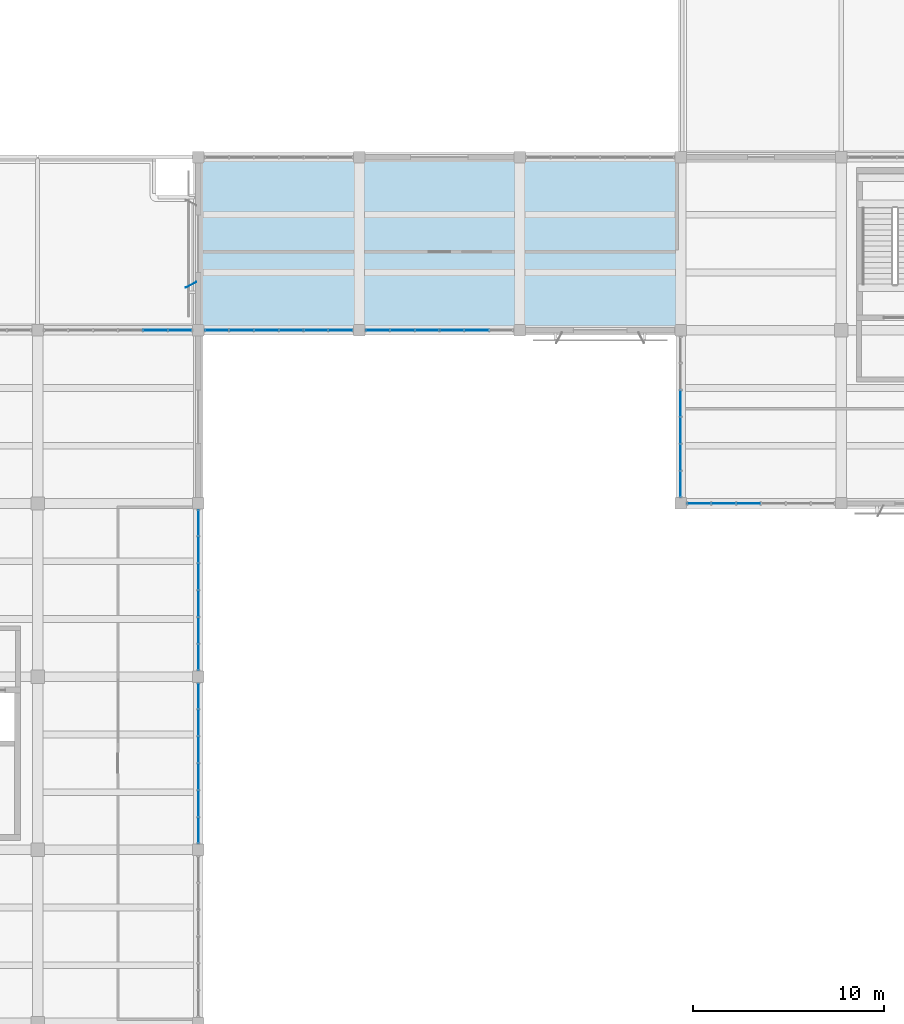
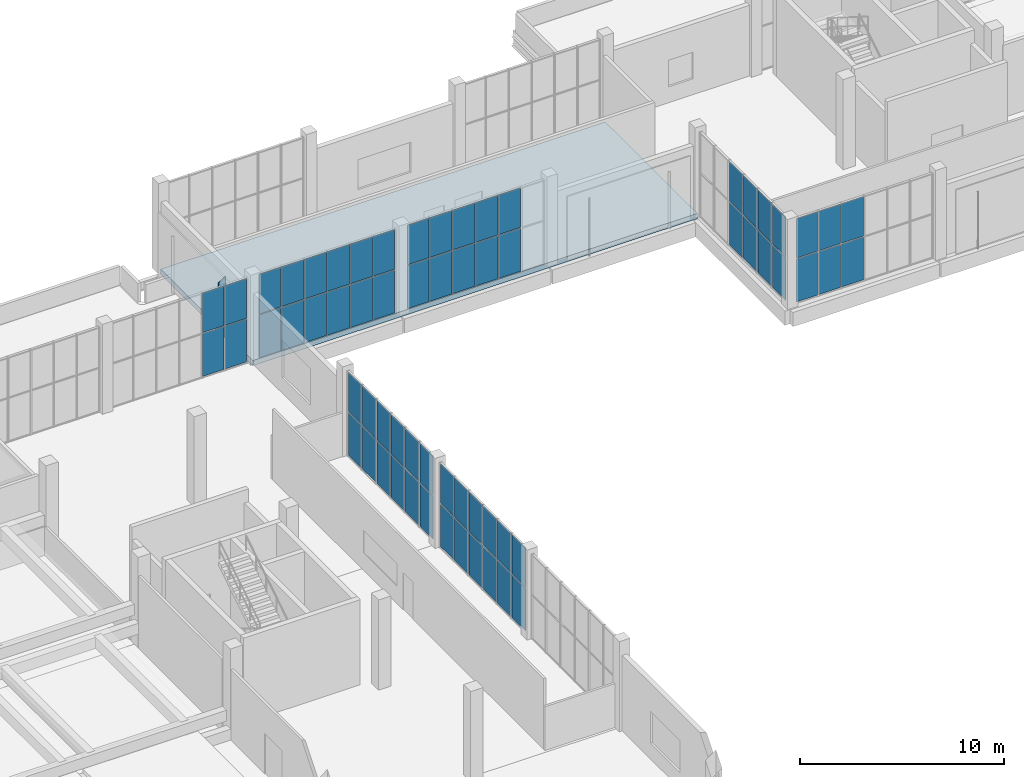
# One storey, part 103 of 132: 65 plates, 1 slab, 7 elements without a shape of their own.
"""IFC4 building model written with IfcOpenShell, lengths in metres."""

from ifc_helpers import new_model, si_unit, direction, frame, origin, origin_2d, place, context, subcontext, project, spatial, polyline, rectangle, outline, extrude, material, layer, layer_set, type_object, element, aggregate, save


model = new_model("IFC4")

# Units and contexts
model_context = context("Model", 3, precision=1e-05, world=origin(), true_north=direction((0.0, 1.0)))
body_context = subcontext(model_context, "Body", "Model", "MODEL_VIEW")
ifc_project = project(units=[si_unit("LENGTHUNIT", "METRE"), si_unit("AREAUNIT", "SQUARE_METRE"), si_unit("VOLUMEUNIT", "CUBIC_METRE"), si_unit("PLANEANGLEUNIT", "RADIAN"), si_unit("MASSUNIT", "GRAM", prefix="KILO")], contexts=[model_context])

# Site, building, storey
site_placement = place(None, origin())
site = spatial("IfcSite", under=ifc_project, at=site_placement, CompositionType="ELEMENT")
building_placement = place(site_placement, origin())
building = spatial("IfcBuilding", under=site, at=building_placement, Name="Khurvash Pelagic Aquarium", CompositionType="ELEMENT")
storey_placement = place(building_placement, frame((0.0, 0.0, 5.39990234375)))
storey = spatial("IfcBuildingStorey", under=building, at=storey_placement, Name="L01", CompositionType="ELEMENT", Elevation=5.39990234375)

# Curtain wall, plates
ifc_material_1 = material(Name="Anodised aluminium and low-E laminated glass", Category="aluminium")
curtain_wall_type_1 = type_object("IfcCurtainWallType", Name="CW-05", PredefinedType="USERDEFINED", material=ifc_material_1)
curtain_wall_1_placement = place(storey_placement, origin())
curtain_wall_1 = element("IfcCurtainWall", 1, at=curtain_wall_1_placement, inside=storey, type_object=curtain_wall_type_1, Name="L01 Facade Unitised Curtain Wall CW-05 0121", ObjectType="UNITISED CURTAIN WALL", PredefinedType="USERDEFINED")
ifc_material_2 = material(Name="Low-E laminated double glazing", Category="glass")
ifc_layer_1 = layer(ifc_material_2, 0.033935546875)
ifc_layer_set_1 = layer_set([ifc_layer_1], Name="Low-E laminated double glazing")
plate_type_1 = type_object("IfcPlateType", Name="CG-05", PredefinedType="CURTAIN_PANEL", material=ifc_layer_set_1)
plate_1_placement = place(storey_placement, frame((32.630859375, 93.10009765625, 0.06005859375), z_axis=(0.0, 0.0, 1.0), x_axis=(-1.0, 0.0, 0.0)))
plate_1 = element("IfcPlate", 2, at=plate_1_placement, type_object=plate_type_1, Name="CW-05 panel 1.1", PredefinedType="CURTAIN_PANEL", context=body_context, shape_type="SweptSolid", body=[
    extrude(rectangle(XDim=1.208251953125, YDim=0.033935546875, at=origin_2d()), origin(), (0.0, 0.0, 1.0), 2.56201171875),
])
plate_2_placement = place(storey_placement, frame((32.630859375, 93.10009765625, 2.68212890625), z_axis=(0.0, 0.0, 1.0), x_axis=(-1.0, 0.0, 0.0)))
plate_2 = element("IfcPlate", 3, at=plate_2_placement, type_object=plate_type_1, Name="CW-05 panel 1.2", PredefinedType="CURTAIN_PANEL", context=body_context, shape_type="SweptSolid", body=[
    extrude(rectangle(XDim=1.208251953125, YDim=0.033935546875, at=origin_2d()), origin(), (0.0, 0.0, 1.0), 2.35791015625),
])
plate_3_placement = place(storey_placement, frame((31.347412109375, 93.10009765625, 0.06005859375), z_axis=(0.0, 0.0, 1.0), x_axis=(-1.0, 0.0, 0.0)))
plate_3 = element("IfcPlate", 4, at=plate_3_placement, type_object=plate_type_1, Name="CW-05 panel 2.1", PredefinedType="CURTAIN_PANEL", context=body_context, shape_type="SweptSolid", body=[
    extrude(rectangle(XDim=1.23828125, YDim=0.033935546875, at=origin_2d()), origin(), (0.0, 0.0, 1.0), 2.56201171875),
])
plate_4_placement = place(storey_placement, frame((31.347412109375, 93.10009765625, 2.68212890625), z_axis=(0.0, 0.0, 1.0), x_axis=(-1.0, 0.0, 0.0)))
plate_4 = element("IfcPlate", 5, at=plate_4_placement, type_object=plate_type_1, Name="CW-05 panel 2.2", PredefinedType="CURTAIN_PANEL", context=body_context, shape_type="SweptSolid", body=[
    extrude(rectangle(XDim=1.23828125, YDim=0.033935546875, at=origin_2d()), origin(), (0.0, 0.0, 1.0), 2.35791015625),
])
aggregate(curtain_wall_1, [plate_1, plate_2, plate_3, plate_4])

curtain_wall_2_placement = place(storey_placement, origin())
curtain_wall_2 = element("IfcCurtainWall", 6, at=curtain_wall_2_placement, inside=storey, type_object=curtain_wall_type_1, Name="L01 Facade Unitised Curtain Wall CW-05 0134", ObjectType="UNITISED CURTAIN WALL", PredefinedType="USERDEFINED")
plate_5_placement = place(storey_placement, frame((34.569091796875, 93.10009765625, 0.06005859375), z_axis=(0.0, 0.0, 1.0), x_axis=(1.0, 0.0, 0.0)))
plate_5 = element("IfcPlate", 7, at=plate_5_placement, type_object=plate_type_1, Name="CW-05 panel 1.1", PredefinedType="CURTAIN_PANEL", context=body_context, shape_type="SweptSolid", body=[
    extrude(rectangle(XDim=1.208251953125, YDim=0.033935546875, at=origin_2d()), origin(), (0.0, 0.0, 1.0), 2.56201171875),
])
plate_6_placement = place(storey_placement, frame((34.569091796875, 93.10009765625, 2.68212890625), z_axis=(0.0, 0.0, 1.0), x_axis=(1.0, 0.0, 0.0)))
plate_6 = element("IfcPlate", 8, at=plate_6_placement, type_object=plate_type_1, Name="CW-05 panel 1.2", PredefinedType="CURTAIN_PANEL", context=body_context, shape_type="SweptSolid", body=[
    extrude(rectangle(XDim=1.208251953125, YDim=0.033935546875, at=origin_2d()), origin(), (0.0, 0.0, 1.0), 2.35791015625),
])
plate_7_placement = place(storey_placement, frame((35.8525390625, 93.10009765625, 0.06005859375), z_axis=(0.0, 0.0, 1.0), x_axis=(1.0, 0.0, 0.0)))
plate_7 = element("IfcPlate", 9, at=plate_7_placement, type_object=plate_type_1, Name="CW-05 panel 2.1", PredefinedType="CURTAIN_PANEL", context=body_context, shape_type="SweptSolid", body=[
    extrude(rectangle(XDim=1.23828125, YDim=0.033935546875, at=origin_2d()), origin(), (0.0, 0.0, 1.0), 2.56201171875),
])
plate_8_placement = place(storey_placement, frame((35.8525390625, 93.10009765625, 2.68212890625), z_axis=(0.0, 0.0, 1.0), x_axis=(1.0, 0.0, 0.0)))
plate_8 = element("IfcPlate", 10, at=plate_8_placement, type_object=plate_type_1, Name="CW-05 panel 2.2", PredefinedType="CURTAIN_PANEL", context=body_context, shape_type="SweptSolid", body=[
    extrude(rectangle(XDim=1.23828125, YDim=0.033935546875, at=origin_2d()), origin(), (0.0, 0.0, 1.0), 2.35791015625),
])
plate_9_placement = place(storey_placement, frame((37.15087890625, 93.10009765625, 0.06005859375), z_axis=(0.0, 0.0, 1.0), x_axis=(1.0, 0.0, 0.0)))
plate_9 = element("IfcPlate", 11, at=plate_9_placement, type_object=plate_type_1, Name="CW-05 panel 3.1", PredefinedType="CURTAIN_PANEL", context=body_context, shape_type="SweptSolid", body=[
    extrude(rectangle(XDim=1.23828125, YDim=0.033935546875, at=origin_2d()), origin(), (0.0, 0.0, 1.0), 2.56201171875),
])
plate_10_placement = place(storey_placement, frame((37.15087890625, 93.10009765625, 2.68212890625), z_axis=(0.0, 0.0, 1.0), x_axis=(1.0, 0.0, 0.0)))
plate_10 = element("IfcPlate", 12, at=plate_10_placement, type_object=plate_type_1, Name="CW-05 panel 3.2", PredefinedType="CURTAIN_PANEL", context=body_context, shape_type="SweptSolid", body=[
    extrude(rectangle(XDim=1.23828125, YDim=0.033935546875, at=origin_2d()), origin(), (0.0, 0.0, 1.0), 2.35791015625),
])
plate_11_placement = place(storey_placement, frame((38.44921875, 93.10009765625, 0.06005859375), z_axis=(0.0, 0.0, 1.0), x_axis=(1.0, 0.0, 0.0)))
plate_11 = element("IfcPlate", 13, at=plate_11_placement, type_object=plate_type_1, Name="CW-05 panel 4.1", PredefinedType="CURTAIN_PANEL", context=body_context, shape_type="SweptSolid", body=[
    extrude(rectangle(XDim=1.23828125, YDim=0.033935546875, at=origin_2d()), origin(), (0.0, 0.0, 1.0), 2.56201171875),
])
plate_12_placement = place(storey_placement, frame((38.44921875, 93.10009765625, 2.68212890625), z_axis=(0.0, 0.0, 1.0), x_axis=(1.0, 0.0, 0.0)))
plate_12 = element("IfcPlate", 14, at=plate_12_placement, type_object=plate_type_1, Name="CW-05 panel 4.2", PredefinedType="CURTAIN_PANEL", context=body_context, shape_type="SweptSolid", body=[
    extrude(rectangle(XDim=1.23828125, YDim=0.033935546875, at=origin_2d()), origin(), (0.0, 0.0, 1.0), 2.35791015625),
])
plate_13_placement = place(storey_placement, frame((39.74755859375, 93.10009765625, 0.06005859375), z_axis=(0.0, 0.0, 1.0), x_axis=(1.0, 0.0, 0.0)))
plate_13 = element("IfcPlate", 15, at=plate_13_placement, type_object=plate_type_1, Name="CW-05 panel 5.1", PredefinedType="CURTAIN_PANEL", context=body_context, shape_type="SweptSolid", body=[
    extrude(rectangle(XDim=1.23828125, YDim=0.033935546875, at=origin_2d()), origin(), (0.0, 0.0, 1.0), 2.56201171875),
])
plate_14_placement = place(storey_placement, frame((39.74755859375, 93.10009765625, 2.68212890625), z_axis=(0.0, 0.0, 1.0), x_axis=(1.0, 0.0, 0.0)))
plate_14 = element("IfcPlate", 16, at=plate_14_placement, type_object=plate_type_1, Name="CW-05 panel 5.2", PredefinedType="CURTAIN_PANEL", context=body_context, shape_type="SweptSolid", body=[
    extrude(rectangle(XDim=1.23828125, YDim=0.033935546875, at=origin_2d()), origin(), (0.0, 0.0, 1.0), 2.35791015625),
])
plate_15_placement = place(storey_placement, frame((41.03076171875, 93.10009765625, 0.06005859375), z_axis=(0.0, 0.0, 1.0), x_axis=(1.0, 0.0, 0.0)))
plate_15 = element("IfcPlate", 17, at=plate_15_placement, type_object=plate_type_1, Name="CW-05 panel 6.1", PredefinedType="CURTAIN_PANEL", context=body_context, shape_type="SweptSolid", body=[
    extrude(rectangle(XDim=1.208251953125, YDim=0.033935546875, at=origin_2d()), origin(), (0.0, 0.0, 1.0), 2.56201171875),
])
plate_16_placement = place(storey_placement, frame((41.03076171875, 93.10009765625, 2.68212890625), z_axis=(0.0, 0.0, 1.0), x_axis=(1.0, 0.0, 0.0)))
plate_16 = element("IfcPlate", 18, at=plate_16_placement, type_object=plate_type_1, Name="CW-05 panel 6.2", PredefinedType="CURTAIN_PANEL", context=body_context, shape_type="SweptSolid", body=[
    extrude(rectangle(XDim=1.208251953125, YDim=0.033935546875, at=origin_2d()), origin(), (0.0, 0.0, 1.0), 2.35791015625),
])
aggregate(curtain_wall_2, [plate_5, plate_6, plate_7, plate_8, plate_9, plate_10, plate_11, plate_12, plate_13, plate_14, plate_15, plate_16])

curtain_wall_3_placement = place(storey_placement, origin())
curtain_wall_3 = element("IfcCurtainWall", 19, at=curtain_wall_3_placement, inside=storey, type_object=curtain_wall_type_1, Name="L01 Facade Unitised Curtain Wall CW-05 0135", ObjectType="UNITISED CURTAIN WALL", PredefinedType="USERDEFINED")
plate_17_placement = place(storey_placement, frame((42.96923828125, 93.10009765625, 0.06005859375), z_axis=(0.0, 0.0, 1.0), x_axis=(1.0, 0.0, 0.0)))
plate_17 = element("IfcPlate", 20, at=plate_17_placement, type_object=plate_type_1, Name="CW-05 panel 1.1", PredefinedType="CURTAIN_PANEL", context=body_context, shape_type="SweptSolid", body=[
    extrude(rectangle(XDim=1.208251953125, YDim=0.033935546875, at=origin_2d()), origin(), (0.0, 0.0, 1.0), 2.56201171875),
])
plate_18_placement = place(storey_placement, frame((42.96923828125, 93.10009765625, 2.68212890625), z_axis=(0.0, 0.0, 1.0), x_axis=(1.0, 0.0, 0.0)))
plate_18 = element("IfcPlate", 21, at=plate_18_placement, type_object=plate_type_1, Name="CW-05 panel 1.2", PredefinedType="CURTAIN_PANEL", context=body_context, shape_type="SweptSolid", body=[
    extrude(rectangle(XDim=1.208251953125, YDim=0.033935546875, at=origin_2d()), origin(), (0.0, 0.0, 1.0), 2.35791015625),
])
plate_19_placement = place(storey_placement, frame((44.25244140625, 93.10009765625, 0.06005859375), z_axis=(0.0, 0.0, 1.0), x_axis=(1.0, 0.0, 0.0)))
plate_19 = element("IfcPlate", 22, at=plate_19_placement, type_object=plate_type_1, Name="CW-05 panel 2.1", PredefinedType="CURTAIN_PANEL", context=body_context, shape_type="SweptSolid", body=[
    extrude(rectangle(XDim=1.23828125, YDim=0.033935546875, at=origin_2d()), origin(), (0.0, 0.0, 1.0), 2.56201171875),
])
plate_20_placement = place(storey_placement, frame((44.25244140625, 93.10009765625, 2.68212890625), z_axis=(0.0, 0.0, 1.0), x_axis=(1.0, 0.0, 0.0)))
plate_20 = element("IfcPlate", 23, at=plate_20_placement, type_object=plate_type_1, Name="CW-05 panel 2.2", PredefinedType="CURTAIN_PANEL", context=body_context, shape_type="SweptSolid", body=[
    extrude(rectangle(XDim=1.23828125, YDim=0.033935546875, at=origin_2d()), origin(), (0.0, 0.0, 1.0), 2.35791015625),
])
plate_21_placement = place(storey_placement, frame((45.55078125, 93.10009765625, 0.06005859375), z_axis=(0.0, 0.0, 1.0), x_axis=(1.0, 0.0, 0.0)))
plate_21 = element("IfcPlate", 24, at=plate_21_placement, type_object=plate_type_1, Name="CW-05 panel 3.1", PredefinedType="CURTAIN_PANEL", context=body_context, shape_type="SweptSolid", body=[
    extrude(rectangle(XDim=1.23828125, YDim=0.033935546875, at=origin_2d()), origin(), (0.0, 0.0, 1.0), 2.56201171875),
])
plate_22_placement = place(storey_placement, frame((45.55078125, 93.10009765625, 2.68212890625), z_axis=(0.0, 0.0, 1.0), x_axis=(1.0, 0.0, 0.0)))
plate_22 = element("IfcPlate", 25, at=plate_22_placement, type_object=plate_type_1, Name="CW-05 panel 3.2", PredefinedType="CURTAIN_PANEL", context=body_context, shape_type="SweptSolid", body=[
    extrude(rectangle(XDim=1.23828125, YDim=0.033935546875, at=origin_2d()), origin(), (0.0, 0.0, 1.0), 2.35791015625),
])
plate_23_placement = place(storey_placement, frame((46.84912109375, 93.10009765625, 0.06005859375), z_axis=(0.0, 0.0, 1.0), x_axis=(1.0, 0.0, 0.0)))
plate_23 = element("IfcPlate", 26, at=plate_23_placement, type_object=plate_type_1, Name="CW-05 panel 4.1", PredefinedType="CURTAIN_PANEL", context=body_context, shape_type="SweptSolid", body=[
    extrude(rectangle(XDim=1.23828125, YDim=0.033935546875, at=origin_2d()), origin(), (0.0, 0.0, 1.0), 2.56201171875),
])
plate_24_placement = place(storey_placement, frame((46.84912109375, 93.10009765625, 2.68212890625), z_axis=(0.0, 0.0, 1.0), x_axis=(1.0, 0.0, 0.0)))
plate_24 = element("IfcPlate", 27, at=plate_24_placement, type_object=plate_type_1, Name="CW-05 panel 4.2", PredefinedType="CURTAIN_PANEL", context=body_context, shape_type="SweptSolid", body=[
    extrude(rectangle(XDim=1.23828125, YDim=0.033935546875, at=origin_2d()), origin(), (0.0, 0.0, 1.0), 2.35791015625),
])
plate_25_placement = place(storey_placement, frame((48.1474609375, 93.10009765625, 0.06005859375), z_axis=(0.0, 0.0, 1.0), x_axis=(1.0, 0.0, 0.0)))
plate_25 = element("IfcPlate", 28, at=plate_25_placement, type_object=plate_type_1, Name="CW-05 panel 5.1", PredefinedType="CURTAIN_PANEL", context=body_context, shape_type="SweptSolid", body=[
    extrude(rectangle(XDim=1.23828125, YDim=0.033935546875, at=origin_2d()), origin(), (0.0, 0.0, 1.0), 2.56201171875),
])
plate_26_placement = place(storey_placement, frame((48.1474609375, 93.10009765625, 2.68212890625), z_axis=(0.0, 0.0, 1.0), x_axis=(1.0, 0.0, 0.0)))
plate_26 = element("IfcPlate", 29, at=plate_26_placement, type_object=plate_type_1, Name="CW-05 panel 5.2", PredefinedType="CURTAIN_PANEL", context=body_context, shape_type="SweptSolid", body=[
    extrude(rectangle(XDim=1.23828125, YDim=0.033935546875, at=origin_2d()), origin(), (0.0, 0.0, 1.0), 2.35791015625),
])
aggregate(curtain_wall_3, [plate_17, plate_18, plate_19, plate_20, plate_21, plate_22, plate_23, plate_24, plate_25, plate_26])

curtain_wall_4_placement = place(storey_placement, origin())
curtain_wall_4 = element("IfcCurtainWall", 30, at=curtain_wall_4_placement, inside=storey, type_object=curtain_wall_type_1, Name="L01 Facade Unitised Curtain Wall CW-05 0137", ObjectType="UNITISED CURTAIN WALL", PredefinedType="USERDEFINED")
plate_27_placement = place(storey_placement, frame((59.769287109375, 84.050048828125, 0.06005859375), z_axis=(0.0, 0.0, 1.0), x_axis=(1.0, 0.0, 0.0)))
plate_27 = element("IfcPlate", 31, at=plate_27_placement, type_object=plate_type_1, Name="CW-05 panel 1.1", PredefinedType="CURTAIN_PANEL", context=body_context, shape_type="SweptSolid", body=[
    extrude(rectangle(XDim=1.208251953125, YDim=0.033935546875, at=origin_2d()), origin(), (0.0, 0.0, 1.0), 2.56201171875),
])
plate_28_placement = place(storey_placement, frame((59.769287109375, 84.050048828125, 2.68212890625), z_axis=(0.0, 0.0, 1.0), x_axis=(1.0, 0.0, 0.0)))
plate_28 = element("IfcPlate", 32, at=plate_28_placement, type_object=plate_type_1, Name="CW-05 panel 1.2", PredefinedType="CURTAIN_PANEL", context=body_context, shape_type="SweptSolid", body=[
    extrude(rectangle(XDim=1.208251953125, YDim=0.033935546875, at=origin_2d()), origin(), (0.0, 0.0, 1.0), 2.35791015625),
])
plate_29_placement = place(storey_placement, frame((61.052490234375, 84.050048828125, 0.06005859375), z_axis=(0.0, 0.0, 1.0), x_axis=(1.0, 0.0, 0.0)))
plate_29 = element("IfcPlate", 33, at=plate_29_placement, type_object=plate_type_1, Name="CW-05 panel 2.1", PredefinedType="CURTAIN_PANEL", context=body_context, shape_type="SweptSolid", body=[
    extrude(rectangle(XDim=1.23828125, YDim=0.033935546875, at=origin_2d()), origin(), (0.0, 0.0, 1.0), 2.56201171875),
])
plate_30_placement = place(storey_placement, frame((61.052490234375, 84.050048828125, 2.68212890625), z_axis=(0.0, 0.0, 1.0), x_axis=(1.0, 0.0, 0.0)))
plate_30 = element("IfcPlate", 34, at=plate_30_placement, type_object=plate_type_1, Name="CW-05 panel 2.2", PredefinedType="CURTAIN_PANEL", context=body_context, shape_type="SweptSolid", body=[
    extrude(rectangle(XDim=1.23828125, YDim=0.033935546875, at=origin_2d()), origin(), (0.0, 0.0, 1.0), 2.35791015625),
])
plate_31_placement = place(storey_placement, frame((62.350830078125, 84.050048828125, 0.06005859375), z_axis=(0.0, 0.0, 1.0), x_axis=(1.0, 0.0, 0.0)))
plate_31 = element("IfcPlate", 35, at=plate_31_placement, type_object=plate_type_1, Name="CW-05 panel 3.1", PredefinedType="CURTAIN_PANEL", context=body_context, shape_type="SweptSolid", body=[
    extrude(rectangle(XDim=1.23828125, YDim=0.033935546875, at=origin_2d()), origin(), (0.0, 0.0, 1.0), 2.56201171875),
])
plate_32_placement = place(storey_placement, frame((62.350830078125, 84.050048828125, 2.68212890625), z_axis=(0.0, 0.0, 1.0), x_axis=(1.0, 0.0, 0.0)))
plate_32 = element("IfcPlate", 36, at=plate_32_placement, type_object=plate_type_1, Name="CW-05 panel 3.2", PredefinedType="CURTAIN_PANEL", context=body_context, shape_type="SweptSolid", body=[
    extrude(rectangle(XDim=1.23828125, YDim=0.033935546875, at=origin_2d()), origin(), (0.0, 0.0, 1.0), 2.35791015625),
])
aggregate(curtain_wall_4, [plate_27, plate_28, plate_29, plate_30, plate_31, plate_32])

curtain_wall_type_2 = type_object("IfcCurtainWallType", Name="CW-06", PredefinedType="USERDEFINED", material=ifc_material_1)
curtain_wall_5_placement = place(storey_placement, origin())
curtain_wall_5 = element("IfcCurtainWall", 37, at=curtain_wall_5_placement, inside=storey, type_object=curtain_wall_type_2, Name="L01 Facade Unitised Curtain Wall CW-06 0132", ObjectType="UNITISED CURTAIN WALL", PredefinedType="USERDEFINED")
ifc_layer_2 = layer(ifc_material_2, 0.030029296875)
ifc_layer_set_2 = layer_set([ifc_layer_2], Name="Low-E laminated double glazing")
plate_type_2 = type_object("IfcPlateType", Name="CG-06", PredefinedType="CURTAIN_PANEL", material=ifc_layer_set_2)
plate_33_placement = place(storey_placement, frame((33.60009765625, 66.973388671875, 0.06005859375), z_axis=(0.0, 0.0, 1.0), x_axis=(0.0, 1.0, 0.0)))
plate_33 = element("IfcPlate", 38, at=plate_33_placement, type_object=plate_type_2, Name="CW-06 panel 1.1", PredefinedType="CURTAIN_PANEL", context=body_context, shape_type="SweptSolid", body=[
    extrude(rectangle(XDim=1.316650390625, YDim=0.030029296875, at=origin_2d()), origin(), (0.0, 0.0, 1.0), 2.56201171875),
])
plate_34_placement = place(storey_placement, frame((33.60009765625, 66.973388671875, 2.68212890625), z_axis=(0.0, 0.0, 1.0), x_axis=(0.0, 1.0, 0.0)))
plate_34 = element("IfcPlate", 39, at=plate_34_placement, type_object=plate_type_2, Name="CW-06 panel 1.2", PredefinedType="CURTAIN_PANEL", context=body_context, shape_type="SweptSolid", body=[
    extrude(rectangle(XDim=1.316650390625, YDim=0.030029296875, at=origin_2d()), origin(), (0.0, 0.0, 1.0), 2.35791015625),
])
plate_35_placement = place(storey_placement, frame((33.60009765625, 68.364990234375, 0.06005859375), z_axis=(0.0, 0.0, 1.0), x_axis=(0.0, 1.0, 0.0)))
plate_35 = element("IfcPlate", 40, at=plate_35_placement, type_object=plate_type_2, Name="CW-06 panel 2.1", PredefinedType="CURTAIN_PANEL", context=body_context, shape_type="SweptSolid", body=[
    extrude(rectangle(XDim=1.3466796875, YDim=0.030029296875, at=origin_2d()), origin(), (0.0, 0.0, 1.0), 2.56201171875),
])
plate_36_placement = place(storey_placement, frame((33.60009765625, 68.364990234375, 2.68212890625), z_axis=(0.0, 0.0, 1.0), x_axis=(0.0, 1.0, 0.0)))
plate_36 = element("IfcPlate", 41, at=plate_36_placement, type_object=plate_type_2, Name="CW-06 panel 2.2", PredefinedType="CURTAIN_PANEL", context=body_context, shape_type="SweptSolid", body=[
    extrude(rectangle(XDim=1.3466796875, YDim=0.030029296875, at=origin_2d()), origin(), (0.0, 0.0, 1.0), 2.35791015625),
])
plate_37_placement = place(storey_placement, frame((33.60009765625, 69.771728515625, 0.06005859375), z_axis=(0.0, 0.0, 1.0), x_axis=(0.0, 1.0, 0.0)))
plate_37 = element("IfcPlate", 42, at=plate_37_placement, type_object=plate_type_2, Name="CW-06 panel 3.1", PredefinedType="CURTAIN_PANEL", context=body_context, shape_type="SweptSolid", body=[
    extrude(rectangle(XDim=1.3466796875, YDim=0.030029296875, at=origin_2d()), origin(), (0.0, 0.0, 1.0), 2.56201171875),
])
plate_38_placement = place(storey_placement, frame((33.60009765625, 69.771728515625, 2.68212890625), z_axis=(0.0, 0.0, 1.0), x_axis=(0.0, 1.0, 0.0)))
plate_38 = element("IfcPlate", 43, at=plate_38_placement, type_object=plate_type_2, Name="CW-06 panel 3.2", PredefinedType="CURTAIN_PANEL", context=body_context, shape_type="SweptSolid", body=[
    extrude(rectangle(XDim=1.3466796875, YDim=0.030029296875, at=origin_2d()), origin(), (0.0, 0.0, 1.0), 2.35791015625),
])
plate_39_placement = place(storey_placement, frame((33.60009765625, 71.17822265625, 0.06005859375), z_axis=(0.0, 0.0, 1.0), x_axis=(0.0, 1.0, 0.0)))
plate_39 = element("IfcPlate", 44, at=plate_39_placement, type_object=plate_type_2, Name="CW-06 panel 4.1", PredefinedType="CURTAIN_PANEL", context=body_context, shape_type="SweptSolid", body=[
    extrude(rectangle(XDim=1.3466796875, YDim=0.030029296875, at=origin_2d()), origin(), (0.0, 0.0, 1.0), 2.56201171875),
])
plate_40_placement = place(storey_placement, frame((33.60009765625, 71.17822265625, 2.68212890625), z_axis=(0.0, 0.0, 1.0), x_axis=(0.0, 1.0, 0.0)))
plate_40 = element("IfcPlate", 45, at=plate_40_placement, type_object=plate_type_2, Name="CW-06 panel 4.2", PredefinedType="CURTAIN_PANEL", context=body_context, shape_type="SweptSolid", body=[
    extrude(rectangle(XDim=1.3466796875, YDim=0.030029296875, at=origin_2d()), origin(), (0.0, 0.0, 1.0), 2.35791015625),
])
plate_41_placement = place(storey_placement, frame((33.60009765625, 72.5849609375, 0.06005859375), z_axis=(0.0, 0.0, 1.0), x_axis=(0.0, 1.0, 0.0)))
plate_41 = element("IfcPlate", 46, at=plate_41_placement, type_object=plate_type_2, Name="CW-06 panel 5.1", PredefinedType="CURTAIN_PANEL", context=body_context, shape_type="SweptSolid", body=[
    extrude(rectangle(XDim=1.3466796875, YDim=0.030029296875, at=origin_2d()), origin(), (0.0, 0.0, 1.0), 2.56201171875),
])
plate_42_placement = place(storey_placement, frame((33.60009765625, 72.5849609375, 2.68212890625), z_axis=(0.0, 0.0, 1.0), x_axis=(0.0, 1.0, 0.0)))
plate_42 = element("IfcPlate", 47, at=plate_42_placement, type_object=plate_type_2, Name="CW-06 panel 5.2", PredefinedType="CURTAIN_PANEL", context=body_context, shape_type="SweptSolid", body=[
    extrude(rectangle(XDim=1.3466796875, YDim=0.030029296875, at=origin_2d()), origin(), (0.0, 0.0, 1.0), 2.35791015625),
])
plate_43_placement = place(storey_placement, frame((33.60009765625, 73.9765625, 0.06005859375), z_axis=(0.0, 0.0, 1.0), x_axis=(0.0, 1.0, 0.0)))
plate_43 = element("IfcPlate", 48, at=plate_43_placement, type_object=plate_type_2, Name="CW-06 panel 6.1", PredefinedType="CURTAIN_PANEL", context=body_context, shape_type="SweptSolid", body=[
    extrude(rectangle(XDim=1.316650390625, YDim=0.030029296875, at=origin_2d()), origin(), (0.0, 0.0, 1.0), 2.56201171875),
])
plate_44_placement = place(storey_placement, frame((33.60009765625, 73.9765625, 2.68212890625), z_axis=(0.0, 0.0, 1.0), x_axis=(0.0, 1.0, 0.0)))
plate_44 = element("IfcPlate", 49, at=plate_44_placement, type_object=plate_type_2, Name="CW-06 panel 6.2", PredefinedType="CURTAIN_PANEL", context=body_context, shape_type="SweptSolid", body=[
    extrude(rectangle(XDim=1.316650390625, YDim=0.030029296875, at=origin_2d()), origin(), (0.0, 0.0, 1.0), 2.35791015625),
])
aggregate(curtain_wall_5, [plate_33, plate_34, plate_35, plate_36, plate_37, plate_38, plate_39, plate_40, plate_41, plate_42, plate_43, plate_44])

curtain_wall_6_placement = place(storey_placement, origin())
curtain_wall_6 = element("IfcCurtainWall", 50, at=curtain_wall_6_placement, inside=storey, type_object=curtain_wall_type_2, Name="L01 Facade Unitised Curtain Wall CW-06 0133", ObjectType="UNITISED CURTAIN WALL", PredefinedType="USERDEFINED")
plate_45_placement = place(storey_placement, frame((33.60009765625, 76.0234375, 0.06005859375), z_axis=(0.0, 0.0, 1.0), x_axis=(0.0, 1.0, 0.0)))
plate_45 = element("IfcPlate", 51, at=plate_45_placement, type_object=plate_type_2, Name="CW-06 panel 1.1", PredefinedType="CURTAIN_PANEL", context=body_context, shape_type="SweptSolid", body=[
    extrude(rectangle(XDim=1.316650390625, YDim=0.030029296875, at=origin_2d()), origin(), (0.0, 0.0, 1.0), 2.56201171875),
])
plate_46_placement = place(storey_placement, frame((33.60009765625, 76.0234375, 2.68212890625), z_axis=(0.0, 0.0, 1.0), x_axis=(0.0, 1.0, 0.0)))
plate_46 = element("IfcPlate", 52, at=plate_46_placement, type_object=plate_type_2, Name="CW-06 panel 1.2", PredefinedType="CURTAIN_PANEL", context=body_context, shape_type="SweptSolid", body=[
    extrude(rectangle(XDim=1.316650390625, YDim=0.030029296875, at=origin_2d()), origin(), (0.0, 0.0, 1.0), 2.35791015625),
])
plate_47_placement = place(storey_placement, frame((33.60009765625, 77.4150390625, 0.06005859375), z_axis=(0.0, 0.0, 1.0), x_axis=(0.0, 1.0, 0.0)))
plate_47 = element("IfcPlate", 53, at=plate_47_placement, type_object=plate_type_2, Name="CW-06 panel 2.1", PredefinedType="CURTAIN_PANEL", context=body_context, shape_type="SweptSolid", body=[
    extrude(rectangle(XDim=1.3466796875, YDim=0.030029296875, at=origin_2d()), origin(), (0.0, 0.0, 1.0), 2.56201171875),
])
plate_48_placement = place(storey_placement, frame((33.60009765625, 77.4150390625, 2.68212890625), z_axis=(0.0, 0.0, 1.0), x_axis=(0.0, 1.0, 0.0)))
plate_48 = element("IfcPlate", 54, at=plate_48_placement, type_object=plate_type_2, Name="CW-06 panel 2.2", PredefinedType="CURTAIN_PANEL", context=body_context, shape_type="SweptSolid", body=[
    extrude(rectangle(XDim=1.3466796875, YDim=0.030029296875, at=origin_2d()), origin(), (0.0, 0.0, 1.0), 2.35791015625),
])
plate_49_placement = place(storey_placement, frame((33.60009765625, 78.82177734375, 0.06005859375), z_axis=(0.0, 0.0, 1.0), x_axis=(0.0, 1.0, 0.0)))
plate_49 = element("IfcPlate", 55, at=plate_49_placement, type_object=plate_type_2, Name="CW-06 panel 3.1", PredefinedType="CURTAIN_PANEL", context=body_context, shape_type="SweptSolid", body=[
    extrude(rectangle(XDim=1.3466796875, YDim=0.030029296875, at=origin_2d()), origin(), (0.0, 0.0, 1.0), 2.56201171875),
])
plate_50_placement = place(storey_placement, frame((33.60009765625, 78.82177734375, 2.68212890625), z_axis=(0.0, 0.0, 1.0), x_axis=(0.0, 1.0, 0.0)))
plate_50 = element("IfcPlate", 56, at=plate_50_placement, type_object=plate_type_2, Name="CW-06 panel 3.2", PredefinedType="CURTAIN_PANEL", context=body_context, shape_type="SweptSolid", body=[
    extrude(rectangle(XDim=1.3466796875, YDim=0.030029296875, at=origin_2d()), origin(), (0.0, 0.0, 1.0), 2.35791015625),
])
plate_51_placement = place(storey_placement, frame((33.60009765625, 80.228271484375, 0.06005859375), z_axis=(0.0, 0.0, 1.0), x_axis=(0.0, 1.0, 0.0)))
plate_51 = element("IfcPlate", 57, at=plate_51_placement, type_object=plate_type_2, Name="CW-06 panel 4.1", PredefinedType="CURTAIN_PANEL", context=body_context, shape_type="SweptSolid", body=[
    extrude(rectangle(XDim=1.3466796875, YDim=0.030029296875, at=origin_2d()), origin(), (0.0, 0.0, 1.0), 2.56201171875),
])
plate_52_placement = place(storey_placement, frame((33.60009765625, 80.228271484375, 2.68212890625), z_axis=(0.0, 0.0, 1.0), x_axis=(0.0, 1.0, 0.0)))
plate_52 = element("IfcPlate", 58, at=plate_52_placement, type_object=plate_type_2, Name="CW-06 panel 4.2", PredefinedType="CURTAIN_PANEL", context=body_context, shape_type="SweptSolid", body=[
    extrude(rectangle(XDim=1.3466796875, YDim=0.030029296875, at=origin_2d()), origin(), (0.0, 0.0, 1.0), 2.35791015625),
])
plate_53_placement = place(storey_placement, frame((33.60009765625, 81.635009765625, 0.06005859375), z_axis=(0.0, 0.0, 1.0), x_axis=(0.0, 1.0, 0.0)))
plate_53 = element("IfcPlate", 59, at=plate_53_placement, type_object=plate_type_2, Name="CW-06 panel 5.1", PredefinedType="CURTAIN_PANEL", context=body_context, shape_type="SweptSolid", body=[
    extrude(rectangle(XDim=1.3466796875, YDim=0.030029296875, at=origin_2d()), origin(), (0.0, 0.0, 1.0), 2.56201171875),
])
plate_54_placement = place(storey_placement, frame((33.60009765625, 81.635009765625, 2.68212890625), z_axis=(0.0, 0.0, 1.0), x_axis=(0.0, 1.0, 0.0)))
plate_54 = element("IfcPlate", 60, at=plate_54_placement, type_object=plate_type_2, Name="CW-06 panel 5.2", PredefinedType="CURTAIN_PANEL", context=body_context, shape_type="SweptSolid", body=[
    extrude(rectangle(XDim=1.3466796875, YDim=0.030029296875, at=origin_2d()), origin(), (0.0, 0.0, 1.0), 2.35791015625),
])
plate_55_placement = place(storey_placement, frame((33.60009765625, 83.026611328125, 0.06005859375), z_axis=(0.0, 0.0, 1.0), x_axis=(0.0, 1.0, 0.0)))
plate_55 = element("IfcPlate", 61, at=plate_55_placement, type_object=plate_type_2, Name="CW-06 panel 6.1", PredefinedType="CURTAIN_PANEL", context=body_context, shape_type="SweptSolid", body=[
    extrude(rectangle(XDim=1.316650390625, YDim=0.030029296875, at=origin_2d()), origin(), (0.0, 0.0, 1.0), 2.56201171875),
])
plate_56_placement = place(storey_placement, frame((33.60009765625, 83.026611328125, 2.68212890625), z_axis=(0.0, 0.0, 1.0), x_axis=(0.0, 1.0, 0.0)))
plate_56 = element("IfcPlate", 62, at=plate_56_placement, type_object=plate_type_2, Name="CW-06 panel 6.2", PredefinedType="CURTAIN_PANEL", context=body_context, shape_type="SweptSolid", body=[
    extrude(rectangle(XDim=1.316650390625, YDim=0.030029296875, at=origin_2d()), origin(), (0.0, 0.0, 1.0), 2.35791015625),
])
aggregate(curtain_wall_6, [plate_45, plate_46, plate_47, plate_48, plate_49, plate_50, plate_51, plate_52, plate_53, plate_54, plate_55, plate_56])

curtain_wall_7_placement = place(storey_placement, origin())
curtain_wall_7 = element("IfcCurtainWall", 63, at=curtain_wall_7_placement, inside=storey, type_object=curtain_wall_type_2, Name="L01 Facade Unitised Curtain Wall CW-06 0136", ObjectType="UNITISED CURTAIN WALL", PredefinedType="USERDEFINED")
plate_57_placement = place(storey_placement, frame((58.800048828125, 89.2783203125, 0.06005859375), z_axis=(0.0, 0.0, 1.0), x_axis=(0.0, -1.0, 0.0)))
plate_57 = element("IfcPlate", 64, at=plate_57_placement, type_object=plate_type_2, Name="CW-06 panel 3.1", PredefinedType="CURTAIN_PANEL", context=body_context, shape_type="SweptSolid", body=[
    extrude(rectangle(XDim=1.3466796875, YDim=0.030029296875, at=origin_2d()), origin(), (0.0, 0.0, 1.0), 2.56201171875),
])
plate_58_placement = place(storey_placement, frame((58.800048828125, 89.2783203125, 2.68212890625), z_axis=(0.0, 0.0, 1.0), x_axis=(0.0, -1.0, 0.0)))
plate_58 = element("IfcPlate", 65, at=plate_58_placement, type_object=plate_type_2, Name="CW-06 panel 3.2", PredefinedType="CURTAIN_PANEL", context=body_context, shape_type="SweptSolid", body=[
    extrude(rectangle(XDim=1.3466796875, YDim=0.030029296875, at=origin_2d()), origin(), (0.0, 0.0, 1.0), 2.35791015625),
])
plate_59_placement = place(storey_placement, frame((58.800048828125, 87.87158203125, 0.06005859375), z_axis=(0.0, 0.0, 1.0), x_axis=(0.0, -1.0, 0.0)))
plate_59 = element("IfcPlate", 66, at=plate_59_placement, type_object=plate_type_2, Name="CW-06 panel 4.1", PredefinedType="CURTAIN_PANEL", context=body_context, shape_type="SweptSolid", body=[
    extrude(rectangle(XDim=1.3466796875, YDim=0.030029296875, at=origin_2d()), origin(), (0.0, 0.0, 1.0), 2.56201171875),
])
plate_60_placement = place(storey_placement, frame((58.800048828125, 87.87158203125, 2.68212890625), z_axis=(0.0, 0.0, 1.0), x_axis=(0.0, -1.0, 0.0)))
plate_60 = element("IfcPlate", 67, at=plate_60_placement, type_object=plate_type_2, Name="CW-06 panel 4.2", PredefinedType="CURTAIN_PANEL", context=body_context, shape_type="SweptSolid", body=[
    extrude(rectangle(XDim=1.3466796875, YDim=0.030029296875, at=origin_2d()), origin(), (0.0, 0.0, 1.0), 2.35791015625),
])
plate_61_placement = place(storey_placement, frame((58.800048828125, 86.465087890625, 0.06005859375), z_axis=(0.0, 0.0, 1.0), x_axis=(0.0, -1.0, 0.0)))
plate_61 = element("IfcPlate", 68, at=plate_61_placement, type_object=plate_type_2, Name="CW-06 panel 5.1", PredefinedType="CURTAIN_PANEL", context=body_context, shape_type="SweptSolid", body=[
    extrude(rectangle(XDim=1.3466796875, YDim=0.030029296875, at=origin_2d()), origin(), (0.0, 0.0, 1.0), 2.56201171875),
])
plate_62_placement = place(storey_placement, frame((58.800048828125, 86.465087890625, 2.68212890625), z_axis=(0.0, 0.0, 1.0), x_axis=(0.0, -1.0, 0.0)))
plate_62 = element("IfcPlate", 69, at=plate_62_placement, type_object=plate_type_2, Name="CW-06 panel 5.2", PredefinedType="CURTAIN_PANEL", context=body_context, shape_type="SweptSolid", body=[
    extrude(rectangle(XDim=1.3466796875, YDim=0.030029296875, at=origin_2d()), origin(), (0.0, 0.0, 1.0), 2.35791015625),
])
plate_63_placement = place(storey_placement, frame((58.800048828125, 85.0732421875, 0.06005859375), z_axis=(0.0, 0.0, 1.0), x_axis=(0.0, -1.0, 0.0)))
plate_63 = element("IfcPlate", 70, at=plate_63_placement, type_object=plate_type_2, Name="CW-06 panel 6.1", PredefinedType="CURTAIN_PANEL", context=body_context, shape_type="SweptSolid", body=[
    extrude(rectangle(XDim=1.316650390625, YDim=0.030029296875, at=origin_2d()), origin(), (0.0, 0.0, 1.0), 2.56201171875),
])
plate_64_placement = place(storey_placement, frame((58.800048828125, 85.0732421875, 2.68212890625), z_axis=(0.0, 0.0, 1.0), x_axis=(0.0, -1.0, 0.0)))
plate_64 = element("IfcPlate", 71, at=plate_64_placement, type_object=plate_type_2, Name="CW-06 panel 6.2", PredefinedType="CURTAIN_PANEL", context=body_context, shape_type="SweptSolid", body=[
    extrude(rectangle(XDim=1.316650390625, YDim=0.030029296875, at=origin_2d()), origin(), (0.0, 0.0, 1.0), 2.35791015625),
])
aggregate(curtain_wall_7, [plate_57, plate_58, plate_59, plate_60, plate_61, plate_62, plate_63, plate_64])

# Slab
ifc_material_3 = material(Name="Concrete C40/50", Category="concrete")
ifc_layer_3 = layer(ifc_material_3, 0.31005859375)
ifc_layer_set_3 = layer_set([ifc_layer_3], Name="Concrete C40/50")
slab_type = type_object("IfcSlabType", Name="FS-310", PredefinedType="FLOOR", material=ifc_layer_set_3)
slab_placement = place(storey_placement, frame((0.0, 0.0, -0.309814453125)))
element("IfcSlab", 72, at=slab_placement, inside=storey, type_object=slab_type, Name="L01 Structural Floor Slab FS-310 V5_NWLINK.1", PredefinedType="FLOOR", context=body_context, shape_type="SweptSolid", body=[
    extrude(outline(polyline([(58.800048828125, 102.14990234375), (33.60009765625, 102.14990234375), (33.60009765625, 93.10009765625), (58.800048828125, 93.10009765625), (58.800048828125, 102.14990234375)])), origin(), (0.0, 0.0, 1.0), 0.309814453125),
])

# Plate
ifc_material_4 = material(Name="Anodised aluminium AW-5005", Category="aluminium")
ifc_layer_4 = layer(ifc_material_4, 0.02392578125)
ifc_layer_set_4 = layer_set([ifc_layer_4], Name="Anodised aluminium AW-5005")
plate_type_3 = type_object("IfcPlateType", Name="SP-01", PredefinedType="SHEET", material=ifc_layer_set_4)
plate_65_placement = place(storey_placement, frame((33.2119140625, 95.47509765625, 0.150146484375), z_axis=(0.0, 0.0, 1.0), x_axis=(-0.882947592859, -0.469471562786, 0.0)))
element("IfcPlate", 73, at=plate_65_placement, inside=storey, type_object=plate_type_3, Name="L01 Parametric Folded Aluminium Solar Screen Fin SP-01 0010", PredefinedType="SHEET", context=body_context, shape_type="SweptSolid", body=[
    extrude(rectangle(XDim=0.6201171875, YDim=0.02392578125, at=origin_2d()), origin(), (0.0, 0.0, 1.0), 3.39990234375),
])

save(model, "model.ifc")
